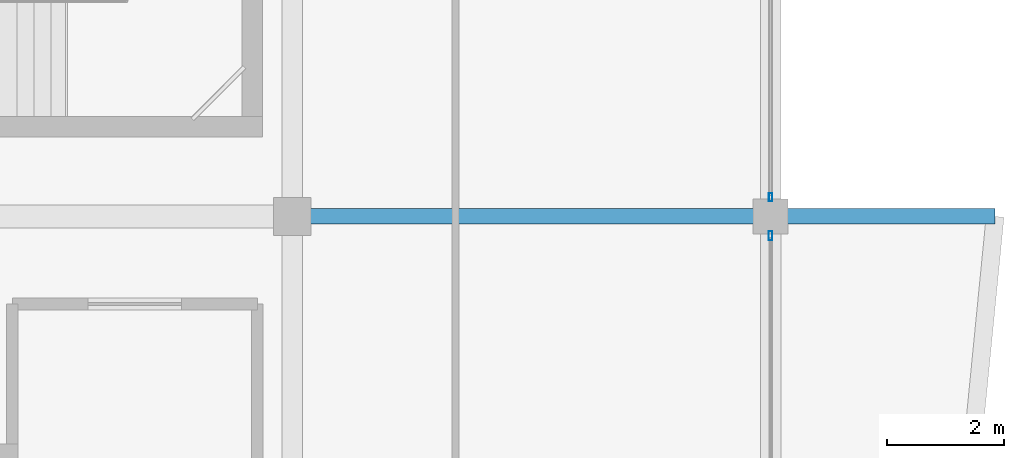
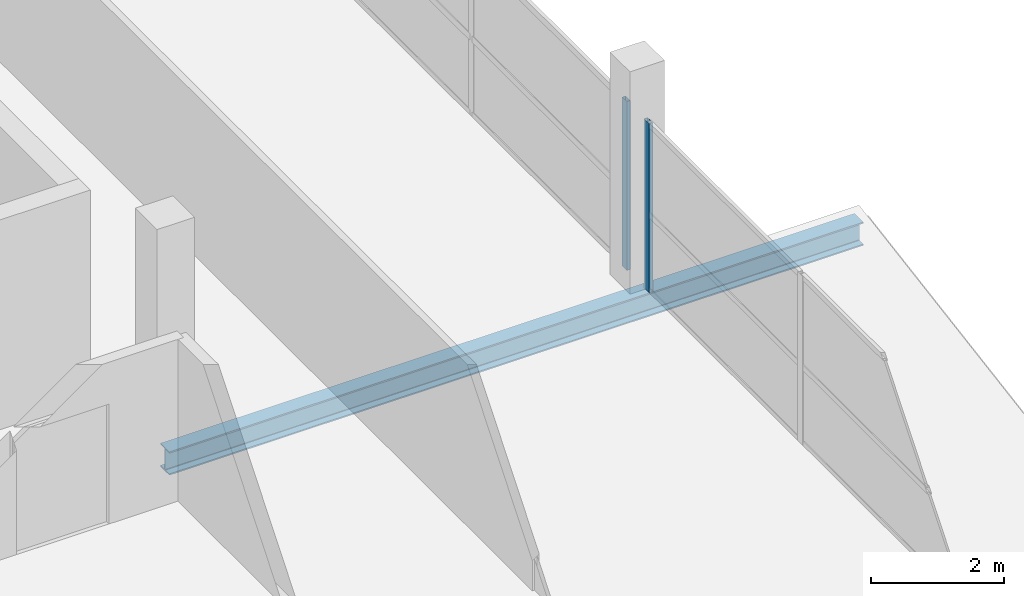
# One storey, part 20 of 66: 2 members, 1 beam, 2 elements without a shape of their own.
"""IFC4 building model written with IfcOpenShell, lengths in metres."""

from ifc_helpers import new_model, si_unit, direction, frame, origin, origin_2d, place, context, subcontext, project, spatial, hollow_rectangle, i_section, extrude, material, layer, layer_set, material_profile, profile_set, type_object, element, aggregate, save


model = new_model("IFC4")

# Units and contexts
model_context = context("Model", 3, precision=1e-05, world=origin(), true_north=direction((0.0, 1.0)))
body_context = subcontext(model_context, "Body", "Model", "MODEL_VIEW")
ifc_project = project(units=[si_unit("LENGTHUNIT", "METRE"), si_unit("AREAUNIT", "SQUARE_METRE"), si_unit("VOLUMEUNIT", "CUBIC_METRE"), si_unit("PLANEANGLEUNIT", "RADIAN"), si_unit("MASSUNIT", "GRAM", prefix="KILO")], contexts=[model_context])

# Site, building, storey
site_placement = place(None, origin())
site = spatial("IfcSite", under=ifc_project, at=site_placement, CompositionType="ELEMENT")
building_placement = place(site_placement, origin())
building = spatial("IfcBuilding", under=site, at=building_placement, Name="Sillaruma Civic Art Gallery", CompositionType="ELEMENT")
storey_placement = place(building_placement, frame((0.0, 0.0, 62.219970703125)))
storey = spatial("IfcBuildingStorey", under=building, at=storey_placement, Name="L12", CompositionType="ELEMENT", Elevation=62.219970703125)

# Beam
ifc_material_1 = material(Name="Structural Steel ASTM A992 Gr.50", Category="steel")
ifc_material_profile_1 = material_profile(ifc_material_1, i_section(OverallWidth=0.264892578125, OverallDepth=0.430908203125, WebThickness=0.014892578125, FlangeThickness=0.02490234375, FilletRadius=0.012939453125, at=origin_2d()), Name="W410x149")
ifc_profile_set_1 = profile_set([ifc_material_profile_1], Name="Structural Steel ASTM A992 Gr.50")
beam_type = type_object("IfcBeamType", Name="BM-PROW-W410x149", PredefinedType="BEAM", material=ifc_profile_set_1)
beam_placement = place(storey_placement, frame((106.199951171875, 49.5, -0.445556640625), z_axis=(1.0, 0.0, 0.0), x_axis=(0.0, 1.0, 0.0)))
element("IfcBeam", 1, at=beam_placement, inside=storey, type_object=beam_type, Name="Back-Spanned Prow Beam (PRW-L11-E-ROF-N)", PredefinedType="BEAM", context=body_context, shape_type="SweptSolid", body=[
    extrude(i_section(OverallWidth=0.264892578125, OverallDepth=0.430908203125, WebThickness=0.014892578125, FlangeThickness=0.02490234375, FilletRadius=0.012939453125, at=origin_2d()), origin(), (0.0, 0.0, 1.0), 12.050048828125),
])

# Curtain wall, member
ifc_material_2 = material(Name="Thermally Broken Extruded Aluminium 6063-T6", Category="aluminium")
ifc_layer_1 = layer(ifc_material_2, 0.139892578125, Name="Thermally Broken Extruded Aluminium 6063-T6")
ifc_layer_set_1 = layer_set([ifc_layer_1], Name="Thermally Broken Extruded Aluminium 6063-T6")
curtain_wall_type_1 = type_object("IfcCurtainWallType", Name="CW-UNI-99", PredefinedType="NOTDEFINED", material=ifc_layer_set_1)
curtain_wall_1_placement = place(storey_placement, origin())
curtain_wall_1 = element("IfcCurtainWall", 2, at=curtain_wall_1_placement, inside=storey, type_object=curtain_wall_type_1, Name="Unitised Curtain Wall CW-99 (CW-L12-EBE-4)", PredefinedType="NOTDEFINED")
ifc_material_profile_2 = material_profile(ifc_material_2, hollow_rectangle(XDim=0.06005859375, YDim=0.139892578125, WallThickness=0.00341796875, at=origin_2d()), Name="CWM60x140")
ifc_profile_set_2 = profile_set([ifc_material_profile_2], Name="Thermally Broken Extruded Aluminium 6063-T6")
member_type_1 = type_object("IfcMemberType", Name="MEM-MUL-CWM60x140", PredefinedType="MULLION", material=ifc_profile_set_2)
member_1_placement = place(storey_placement, frame((114.39990234375, 49.830078125, 0.0), z_axis=(0.0, 0.0, 1.0), x_axis=(-1.0, 0.0, 0.0)))
member_1 = element("IfcMember", 3, at=member_1_placement, type_object=member_type_1, Name="CW-99 mullion 1", PredefinedType="MULLION", context=body_context, shape_type="SweptSolid", body=[
    extrude(hollow_rectangle(XDim=0.06005859375, YDim=0.139892578125, WallThickness=0.00341796875, at=origin_2d()), origin(), (0.0, 0.0, 1.0), 3.10009765625),
])
aggregate(curtain_wall_1, [member_1])

ifc_layer_2 = layer(ifc_material_2, 0.159912109375, Name="Thermally Broken Extruded Aluminium 6063-T6")
ifc_layer_set_2 = layer_set([ifc_layer_2], Name="Thermally Broken Extruded Aluminium 6063-T6")
curtain_wall_type_2 = type_object("IfcCurtainWallType", Name="CW-UNI-97", PredefinedType="NOTDEFINED", material=ifc_layer_set_2)
curtain_wall_2_placement = place(storey_placement, origin())
curtain_wall_2 = element("IfcCurtainWall", 4, at=curtain_wall_2_placement, inside=storey, type_object=curtain_wall_type_2, Name="Unitised Curtain Wall CW-97 (CW-L12-EBE-3)", PredefinedType="NOTDEFINED")
ifc_material_profile_3 = material_profile(ifc_material_2, hollow_rectangle(XDim=0.06494140625, YDim=0.159912109375, WallThickness=0.00390625, at=origin_2d()), Name="CWM65x160")
ifc_profile_set_3 = profile_set([ifc_material_profile_3], Name="Thermally Broken Extruded Aluminium 6063-T6")
member_type_2 = type_object("IfcMemberType", Name="MEM-MUL-CWM65x160", PredefinedType="MULLION", material=ifc_profile_set_3)
member_2_placement = place(storey_placement, frame((114.39990234375, 49.16748046875, 0.0), z_axis=(0.0, 0.0, 1.0), x_axis=(-1.0, 0.0, 0.0)))
member_2 = element("IfcMember", 5, at=member_2_placement, type_object=member_type_2, Name="CW-97 mullion 3", PredefinedType="MULLION", context=body_context, shape_type="SweptSolid", body=[
    extrude(hollow_rectangle(XDim=0.06494140625, YDim=0.159912109375, WallThickness=0.00390625, at=origin_2d()), origin(), (0.0, 0.0, 1.0), 3.10009765625),
])
aggregate(curtain_wall_2, [member_2])

save(model, "model.ifc")
